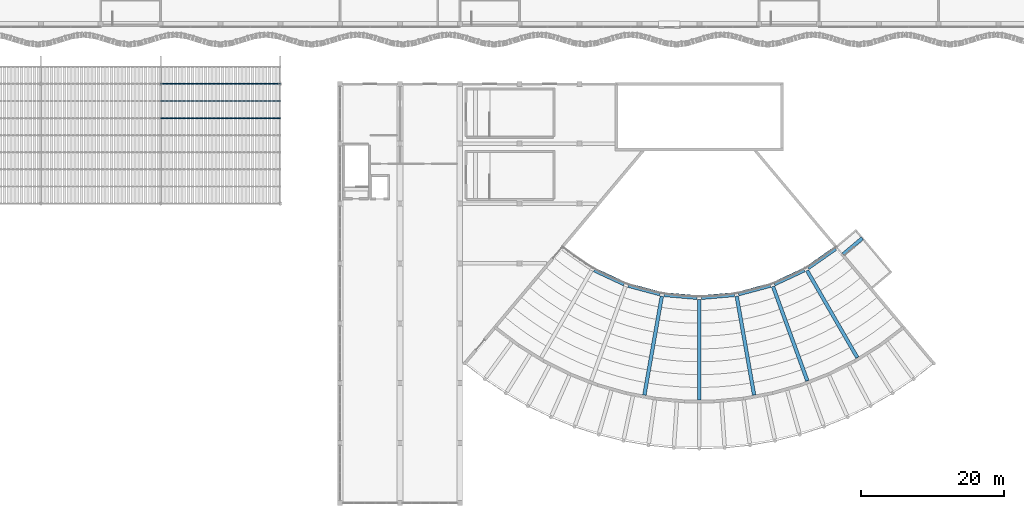
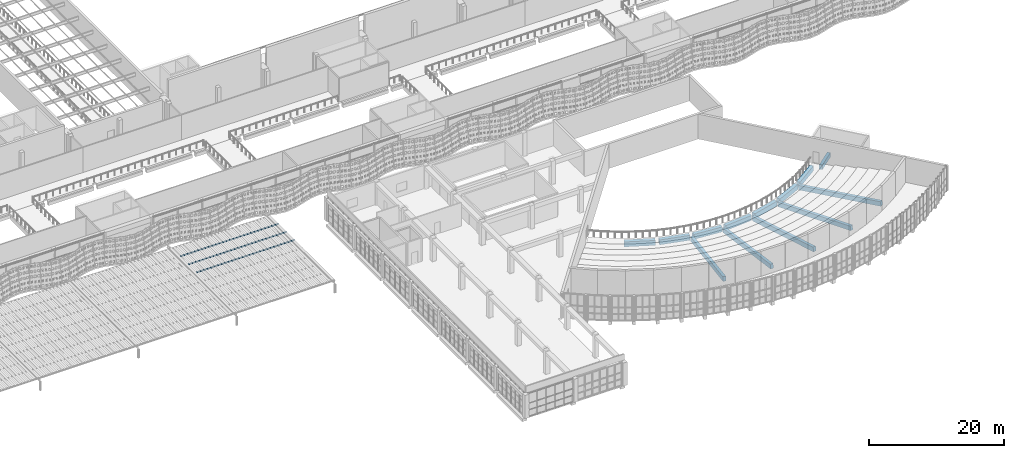
# One storey, part 46 of 162: 13 beams, 3 members.
"""IFC4 building model written with IfcOpenShell, lengths in metres."""

from ifc_helpers import new_model, si_unit, direction, frame, origin, origin_2d, place, context, subcontext, project, spatial, rectangle, i_section, extrude, material, material_profile, profile_set, type_object, element, save


model = new_model("IFC4")

# Units and contexts
model_context = context("Model", 3, precision=1e-05, world=origin(), true_north=direction((0.0, 1.0)))
body_context = subcontext(model_context, "Body", "Model", "MODEL_VIEW")
ifc_project = project(units=[si_unit("LENGTHUNIT", "METRE"), si_unit("AREAUNIT", "SQUARE_METRE"), si_unit("VOLUMEUNIT", "CUBIC_METRE"), si_unit("PLANEANGLEUNIT", "RADIAN"), si_unit("MASSUNIT", "GRAM", prefix="KILO")], contexts=[model_context])

# Site, building, storey
site_placement = place(None, origin())
site = spatial("IfcSite", under=ifc_project, at=site_placement, CompositionType="ELEMENT")
building_placement = place(site_placement, origin())
building = spatial("IfcBuilding", under=site, at=building_placement, Name="Rain Tree Exposition and Congress Centre", CompositionType="ELEMENT")
storey_placement = place(building_placement, frame((0.0, 0.0, 6.0)))
storey = spatial("IfcBuildingStorey", under=building, at=storey_placement, Name="L01", CompositionType="ELEMENT", Elevation=6.0)

# Beams
ifc_material_1 = material(Name="Precast concrete C50/60", Category="concrete")
ifc_material_profile_1 = material_profile(ifc_material_1, rectangle(XDim=0.5, YDim=0.800048828125, at=origin_2d()), Name="RC 500x800")
ifc_profile_set_1 = profile_set([ifc_material_profile_1], Name="Precast concrete C50/60")
beam_type_1 = type_object("IfcBeamType", Name="Precast beam 500x800", PredefinedType="BEAM", material=ifc_profile_set_1)
beam_1_placement = place(storey_placement, frame((196.33837890625, 37.3603515625, -1.058349609375), z_axis=(-0.172001074505, -0.97544452224, 0.137563128787), x_axis=(0.9848070819, -0.17365198369, 0.0)))
element("IfcBeam", 1, at=beam_1_placement, inside=storey, type_object=beam_type_1, Name="Balcony raker", PredefinedType="BEAM", context=body_context, shape_type="SweptSolid", body=[
    extrude(rectangle(XDim=0.5, YDim=0.800048828125, at=origin_2d()), origin(), (0.0, 0.0, 1.0), 14.2353515625),
])
beam_2_placement = place(storey_placement, frame((201.60009765625, 36.89990234375, -1.058349609375), z_axis=(0.0, -0.990492857402, 0.137564164792), x_axis=(1.0, 0.0, 0.0)))
element("IfcBeam", 2, at=beam_2_placement, inside=storey, type_object=beam_type_1, Name="Balcony raker", PredefinedType="BEAM", context=body_context, shape_type="SweptSolid", body=[
    extrude(rectangle(XDim=0.5, YDim=0.800048828125, at=origin_2d()), origin(), (0.0, 0.0, 1.0), 14.235107421875),
])
for number, where, z_axis, x_axis, name in (
    (3, (206.861572265625, 37.3603515625, -1.058349609375), (0.172001074505, -0.97544452224, 0.137563128787), (0.9848070819, 0.17365198369, 0.0), "Balcony raker"),
    (4, (211.963134765625, 38.727294921875, -1.058349609375), (0.338768185193, -0.930759286114, 0.137561869763), (0.939692779851, 0.342019706296, 0.0), "Balcony raker"),
    (5, (216.75, 40.95947265625, -1.058349609375), (0.49524973238, -0.857790304211, 0.137562700537), (0.866023537358, 0.500003232731, 0.0), "Balcony raker"),
):
    element("IfcBeam", number, at=place(storey_placement, frame(where, z_axis=z_axis, x_axis=x_axis)), inside=storey, type_object=beam_type_1, Name=name, PredefinedType="BEAM", context=body_context, shape_type="SweptSolid", body=[
        extrude(rectangle(XDim=0.5, YDim=0.800048828125, at=origin_2d()), origin(), (0.0, 0.0, 1.0), 14.2353515625),
    ])
beam_3_placement = place(storey_placement, frame((221.7958984375, 43.287109375, -0.699951171875), z_axis=(0.766044173478, 0.642787931032, 0.0), x_axis=(-0.642787931032, 0.766044173478, 0.0)))
element("IfcBeam", 6, at=beam_3_placement, inside=storey, type_object=beam_type_1, Name="Stair landing beam", PredefinedType="BEAM", context=body_context, shape_type="SweptSolid", body=[
    extrude(rectangle(XDim=0.5, YDim=0.800048828125, at=origin_2d()), origin(), (0.0, 0.0, 1.0), 3.5),
])
ifc_material_2 = material(Name="Precast concrete C50/60", Category="concrete")
ifc_material_profile_2 = material_profile(ifc_material_2, rectangle(XDim=0.60009765625, YDim=0.89990234375, at=origin_2d()), Name="RC 600x900")
ifc_profile_set_2 = profile_set([ifc_material_profile_2], Name="Precast concrete C50/60")
beam_type_2 = type_object("IfcBeamType", Name="Precast beam 600x900", PredefinedType="BEAM", material=ifc_profile_set_2)
for number, where, z_axis, x_axis, name in (
    (7, (186.871826171875, 41.092529296875, -0.89990234375), (0.906297628446, -0.422640046225, 0.0), (0.422640046225, 0.906297628446, 0.0), "Balcony girder"),
    (8, (191.629150390625, 38.931640625, -0.89990234375), (0.965922627857, -0.25883098152, 0.0), (0.25883098152, 0.965922627857, 0.0), "Balcony girder"),
):
    element("IfcBeam", number, at=place(storey_placement, frame(where, z_axis=z_axis, x_axis=x_axis)), inside=storey, type_object=beam_type_2, Name=name, PredefinedType="BEAM", context=body_context, shape_type="SweptSolid", body=[
        extrude(rectangle(XDim=0.60009765625, YDim=0.89990234375, at=origin_2d()), origin(), (0.0, 0.0, 1.0), 4.62939453125),
    ])
for number, where, z_axis, x_axis, name in (
    (9, (196.689453125, 37.629638671875, -0.89990234375), (0.996192744263, -0.087178072225, 0.0), (0.087178072225, 0.996192744263, 0.0), "Balcony girder"),
    (10, (201.89892578125, 37.22607421875, -0.89990234375), (0.996192744263, 0.087178072225, 0.0), (-0.087178072225, 0.996192744263, 0.0), "Balcony girder"),
):
    element("IfcBeam", number, at=place(storey_placement, frame(where, z_axis=z_axis, x_axis=x_axis)), inside=storey, type_object=beam_type_2, Name=name, PredefinedType="BEAM", context=body_context, shape_type="SweptSolid", body=[
        extrude(rectangle(XDim=0.60009765625, YDim=0.89990234375, at=origin_2d()), origin(), (0.0, 0.0, 1.0), 4.629150390625),
    ])
for number, where, z_axis, x_axis, name in (
    (11, (207.09912109375, 37.7333984375, -0.89990234375), (0.965922627857, 0.25883098152, 0.0), (-0.25883098152, 0.965922627857, 0.0), "Balcony girder"),
    (12, (212.132568359375, 39.135986328125, -0.89990234375), (0.906297628446, 0.422640046225, 0.0), (-0.422640046225, 0.906297628446, 0.0), "Balcony girder"),
):
    element("IfcBeam", number, at=place(storey_placement, frame(where, z_axis=z_axis, x_axis=x_axis)), inside=storey, type_object=beam_type_2, Name=name, PredefinedType="BEAM", context=body_context, shape_type="SweptSolid", body=[
        extrude(rectangle(XDim=0.60009765625, YDim=0.89990234375, at=origin_2d()), origin(), (0.0, 0.0, 1.0), 4.62939453125),
    ])
beam_4_placement = place(storey_placement, frame((216.845703125, 41.391357421875, -0.89990234375), z_axis=(0.819149454269, 0.573580135265, 0.0), x_axis=(-0.573580135265, 0.819149454269, 0.0)))
element("IfcBeam", 13, at=beam_4_placement, inside=storey, type_object=beam_type_2, Name="Balcony girder", PredefinedType="BEAM", context=body_context, shape_type="SweptSolid", body=[
    extrude(rectangle(XDim=0.60009765625, YDim=0.89990234375, at=origin_2d()), origin(), (0.0, 0.0, 1.0), 4.729248046875),
])

# Members
ifc_material_3 = material(Name="Steel S355J2", Category="steel")
ifc_material_profile_3 = material_profile(ifc_material_3, i_section(OverallWidth=0.125, OverallDepth=0.25, WebThickness=0.006103515625, FlangeThickness=0.009033203125, FilletRadius=0.008056640625, at=origin_2d()), Name="H 250x125x6x9")
ifc_profile_set_3 = profile_set([ifc_material_profile_3], Name="Steel S355J2")
member_type = type_object("IfcMemberType", Name="Steel purlin H 250x125x6x9", PredefinedType="PURLIN", material=ifc_profile_set_3)
for number, where, z_axis, x_axis, name in (
    (14, (126.0, 62.39990234375, 2.22509765625), (1.0, 0.0, 0.0), (0.0, 1.0, 0.0), "Canopy purlin 30"),
    (15, (126.0, 64.800048828125, 2.22509765625), (1.0, 0.0, 0.0), (0.0, 1.0, 0.0), "Canopy purlin 35"),
    (16, (126.0, 67.199951171875, 2.22509765625), (1.0, 0.0, 0.0), (0.0, 1.0, 0.0), "Canopy purlin 40"),
):
    element("IfcMember", number, at=place(storey_placement, frame(where, z_axis=z_axis, x_axis=x_axis)), inside=storey, type_object=member_type, Name=name, PredefinedType="PURLIN", context=body_context, shape_type="SweptSolid", body=[
        extrude(i_section(OverallWidth=0.125, OverallDepth=0.25, WebThickness=0.006103515625, FlangeThickness=0.009033203125, FilletRadius=0.008056640625, at=origin_2d()), origin(), (0.0, 0.0, 1.0), 16.800048828125),
    ])

save(model, "model.ifc")
